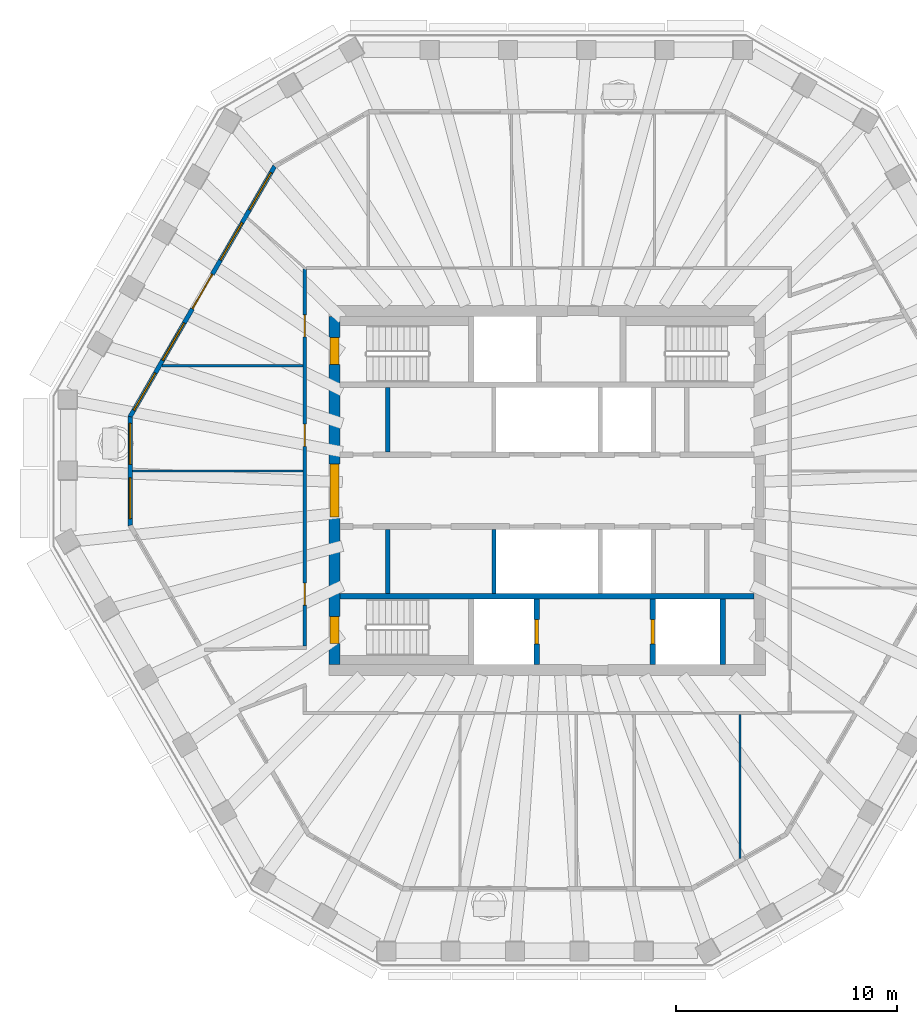
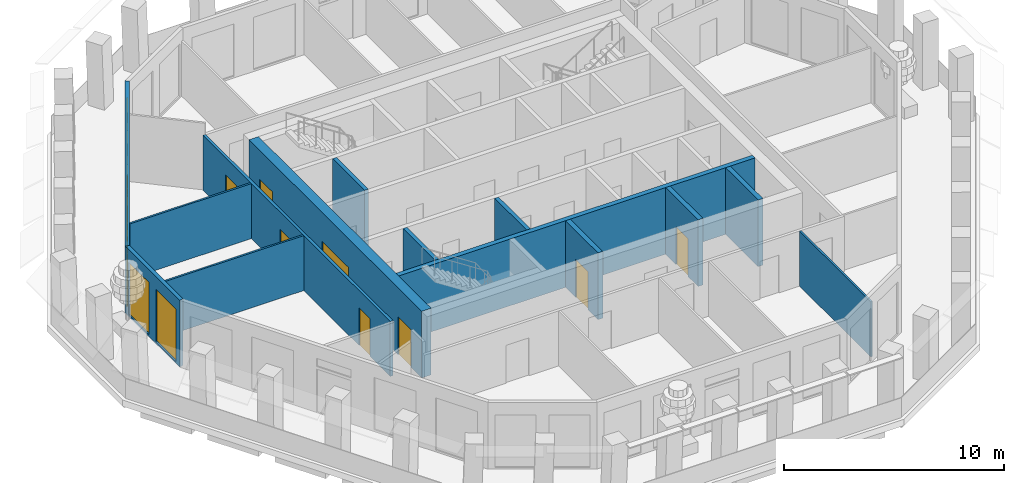
# One storey, part 4 of 11: 14 walls, 9 doors, 7 windows, 16 openings.
"""IFC4 building model written with IfcOpenShell, lengths in metres."""

from ifc_helpers import new_model, si_unit, direction, frame, frame_2d, origin, place, context, subcontext, project, spatial, polyline, rectangle, outline, extrude, material, layer, layer_set, type_object, element, fill, save


model = new_model("IFC4")

# Units and contexts
model_context = context("Model", 3, precision=1e-05, world=origin(), true_north=direction((0.0, 1.0)))
body_context = subcontext(model_context, "Body", "Model", "MODEL_VIEW")
ifc_project = project(units=[si_unit("LENGTHUNIT", "METRE"), si_unit("AREAUNIT", "SQUARE_METRE"), si_unit("VOLUMEUNIT", "CUBIC_METRE"), si_unit("PLANEANGLEUNIT", "RADIAN"), si_unit("MASSUNIT", "GRAM", prefix="KILO")], contexts=[model_context])

# Site, building, storey
site_placement = place(None, origin())
site = spatial("IfcSite", under=ifc_project, at=site_placement, CompositionType="ELEMENT")
building_placement = place(site_placement, origin())
building = spatial("IfcBuilding", under=site, at=building_placement, Name="Frailejon Research Tower", CompositionType="ELEMENT")
storey_placement = place(building_placement, frame((0.0, 0.0, 336.60009765625)))
storey = spatial("IfcBuildingStorey", under=building, at=storey_placement, Name="L75", CompositionType="ELEMENT", Elevation=336.60009765625)

# Wall, openings, doors
ifc_material_1 = material(Name="Concrete C50/60", Category="concrete")
ifc_layer_1 = layer(ifc_material_1, 0.5)
ifc_layer_set_1 = layer_set([ifc_layer_1], Name="Core shear wall 500 C50/60")
wall_type_1 = type_object("IfcWallType", Name="Core shear wall 500 C50/60", PredefinedType="SHEAR", material=ifc_layer_set_1)
wall_1_placement = place(storey_placement, frame((-9.60009765625, -7.85009765625, 0.0), z_axis=(0.0, 0.0, 1.0), x_axis=(0.0, 1.0, 0.0)))
wall_1 = element("IfcWall", 1, at=wall_1_placement, inside=storey, type_object=wall_type_1, Name="Core shear wall", PredefinedType="SHEAR", context=body_context, shape_type="SweptSolid", body=[
    extrude(rectangle(XDim=15.7001953125, YDim=0.5, at=frame_2d((7.85009765625, 0.0))), origin(), (0.0, 0.0, 1.0), 3.699951171875),
])
opening_1_placement = place(wall_1_placement, frame((6.64990234375, 0.0, 0.0)))
opening_1 = element("IfcOpeningElement", 2, at=opening_1_placement, cuts=wall_1, Name="Opening D2", PredefinedType="OPENING", context=body_context, shape_type="SweptSolid", body=[
    extrude(rectangle(XDim=2.39990234375, YDim=2.10009765625, at=frame_2d((1.199951171875, 1.050048828125))), frame((0.0, 0.260009765625, 0.0), z_axis=(0.0, -1.0, 0.0), x_axis=(1.0, 0.0, 0.0)), (0.0, 0.0, 1.0), 0.52001953125),
])
opening_2_placement = place(wall_1_placement, frame((13.550048828125, 0.0, 0.0)))
opening_2 = element("IfcOpeningElement", 3, at=opening_2_placement, cuts=wall_1, Name="Opening D1", PredefinedType="OPENING", context=body_context, shape_type="SweptSolid", body=[
    extrude(rectangle(XDim=1.199951171875, YDim=2.10009765625, at=frame_2d((0.60009765625, 1.050048828125))), frame((0.0, 0.260009765625, 0.0), z_axis=(0.0, -1.0, 0.0), x_axis=(1.0, 0.0, 0.0)), (0.0, 0.0, 1.0), 0.52001953125),
])
opening_3_placement = place(wall_1_placement, frame((0.949951171875, 0.0, 0.0)))
opening_3 = element("IfcOpeningElement", 4, at=opening_3_placement, cuts=wall_1, Name="Opening D1", PredefinedType="OPENING", context=body_context, shape_type="SweptSolid", body=[
    extrude(rectangle(XDim=1.199951171875, YDim=2.10009765625, at=frame_2d((0.60009765625, 1.050048828125))), frame((0.0, 0.260009765625, 0.0), z_axis=(0.0, -1.0, 0.0), x_axis=(1.0, 0.0, 0.0)), (0.0, 0.0, 1.0), 0.52001953125),
])
ifc_material_2 = material(Name="Steel", Category="steel")
door_type_1 = type_object("IfcDoorType", Name="Lobby double door", OperationType="DOUBLE_DOOR_SINGLE_SWING", PredefinedType="DOOR", material=ifc_material_2)
door_1_placement = place(opening_1_placement, origin())
door_1 = element("IfcDoor", 5, at=door_1_placement, inside=storey, type_object=door_type_1, Name="Lobby door", OperationType="DOUBLE_DOOR_SINGLE_SWING", OverallHeight=2.10009765625, OverallWidth=2.39990234375, PredefinedType="DOOR", context=body_context, shape_type="SweptSolid", body=[
    extrude(rectangle(XDim=2.39990234375, YDim=2.10009765625, at=frame_2d((1.199951171875, 1.050048828125))), frame((0.0, 0.199951171875, 0.0), z_axis=(0.0, -1.0, 0.0), x_axis=(1.0, 0.0, 0.0)), (0.0, 0.0, 1.0), 0.39990234375),
])
fill(opening_1, door_1)
ifc_material_3 = material(Name="Steel", Category="steel")
door_type_2 = type_object("IfcDoorType", Name="Stair door", OperationType="SINGLE_SWING_LEFT", PredefinedType="DOOR", material=ifc_material_3)
door_2_placement = place(opening_2_placement, origin())
door_2 = element("IfcDoor", 6, at=door_2_placement, inside=storey, type_object=door_type_2, Name="Stair door ST1", OperationType="SINGLE_SWING_RIGHT", OverallHeight=2.10009765625, OverallWidth=1.199951171875, PredefinedType="DOOR", context=body_context, shape_type="SweptSolid", body=[
    extrude(rectangle(XDim=1.199951171875, YDim=2.10009765625, at=frame_2d((0.60009765625, 1.050048828125))), frame((0.0, 0.199951171875, 0.0), z_axis=(0.0, -1.0, 0.0), x_axis=(1.0, 0.0, 0.0)), (0.0, 0.0, 1.0), 0.39990234375),
])
fill(opening_2, door_2)
door_3_placement = place(opening_3_placement, origin())
door_3 = element("IfcDoor", 7, at=door_3_placement, inside=storey, type_object=door_type_2, Name="Stair door ST2", OperationType="SINGLE_SWING_LEFT", OverallHeight=2.10009765625, OverallWidth=1.199951171875, PredefinedType="DOOR", context=body_context, shape_type="SweptSolid", body=[
    extrude(rectangle(XDim=1.199951171875, YDim=2.10009765625, at=frame_2d((0.60009765625, 1.050048828125))), frame((0.0, 0.199951171875, 0.0), z_axis=(0.0, -1.0, 0.0), x_axis=(1.0, 0.0, 0.0)), (0.0, 0.0, 1.0), 0.39990234375),
])
fill(opening_3, door_3)

ifc_material_4 = material(Name="Gypsum board and masonry partition", Category="masonry")
ifc_layer_2 = layer(ifc_material_4, 0.14990234375)
ifc_layer_set_2 = layer_set([ifc_layer_2], Name="Corridor wall EI 60, gypsum on steel studs 150")
wall_type_2 = type_object("IfcWallType", Name="Corridor wall EI 60, gypsum on steel studs 150", PredefinedType="PARTITIONING", material=ifc_layer_set_2)
wall_2_placement = place(storey_placement, frame((-10.949951171875, -7.02490234375, 0.0), z_axis=(0.0, 0.0, 1.0), x_axis=(0.0, 1.0, 0.0)))
wall_2 = element("IfcWall", 8, at=wall_2_placement, inside=storey, type_object=wall_type_2, Name="T:IW:L75:007", PredefinedType="PARTITIONING", context=body_context, shape_type="SweptSolid", body=[
    extrude(rectangle(XDim=17.02490234375, YDim=0.14990234375, at=frame_2d((8.512451171875, 0.0))), origin(), (0.0, 0.0, 1.0), 3.0498046875),
])
opening_4_placement = place(wall_2_placement, frame((13.959228515625, 0.0, 0.0)))
opening_4 = element("IfcOpeningElement", 9, at=opening_4_placement, cuts=wall_2, Name="Opening D2404", PredefinedType="OPENING", context=body_context, shape_type="SweptSolid", body=[
    extrude(rectangle(XDim=1.0, YDim=2.10009765625, at=frame_2d((0.5, 1.050048828125))), frame((0.0, 0.0849609375, 0.0), z_axis=(0.0, -1.0, 0.0), x_axis=(1.0, 0.0, 0.0)), (0.0, 0.0, 1.0), 0.169921875),
])
opening_5_placement = place(wall_2_placement, frame((9.018310546875, 0.0, 0.0)))
opening_5 = element("IfcOpeningElement", 10, at=opening_5_placement, cuts=wall_2, Name="Opening D2405", PredefinedType="OPENING", context=body_context, shape_type="SweptSolid", body=[
    extrude(rectangle(XDim=1.0, YDim=2.10009765625, at=frame_2d((0.5, 1.050048828125))), frame((0.0, 0.0849609375, 0.0), z_axis=(0.0, -1.0, 0.0), x_axis=(1.0, 0.0, 0.0)), (0.0, 0.0, 1.0), 0.169921875),
])
opening_6_placement = place(wall_2_placement, frame((1.844970703125, 0.0, 0.0)))
opening_6 = element("IfcOpeningElement", 11, at=opening_6_placement, cuts=wall_2, Name="Opening D2406", PredefinedType="OPENING", context=body_context, shape_type="SweptSolid", body=[
    extrude(rectangle(XDim=1.0, YDim=2.10009765625, at=frame_2d((0.5, 1.050048828125))), frame((0.0, 0.0849609375, 0.0), z_axis=(0.0, -1.0, 0.0), x_axis=(1.0, 0.0, 0.0)), (0.0, 0.0, 1.0), 0.169921875),
])
ifc_material_5 = material(Name="Timber door leaf", Category="wood")
door_type_3 = type_object("IfcDoorType", Name="Door single leaf, timber, steel frame 1000", OperationType="NOTDEFINED", PredefinedType="DOOR", material=ifc_material_5)
door_4_placement = place(opening_4_placement, origin())
door_4 = element("IfcDoor", 12, at=door_4_placement, inside=storey, type_object=door_type_3, Name="D2404", OperationType="SINGLE_SWING_LEFT", OverallHeight=2.10009765625, OverallWidth=1.0, PredefinedType="DOOR", context=body_context, shape_type="SweptSolid", body=[
    extrude(rectangle(XDim=1.0, YDim=2.10009765625, at=frame_2d((0.5, 1.050048828125))), frame((0.0, 0.02490234375, 0.0), z_axis=(0.0, -1.0, 0.0), x_axis=(1.0, 0.0, 0.0)), (0.0, 0.0, 1.0), 0.050048828125),
])
fill(opening_4, door_4)
door_5_placement = place(opening_5_placement, origin())
door_5 = element("IfcDoor", 13, at=door_5_placement, inside=storey, type_object=door_type_3, Name="D2405", OperationType="SINGLE_SWING_LEFT", OverallHeight=2.10009765625, OverallWidth=1.0, PredefinedType="DOOR", context=body_context, shape_type="SweptSolid", body=[
    extrude(rectangle(XDim=1.0, YDim=2.10009765625, at=frame_2d((0.5, 1.050048828125))), frame((0.0, 0.02490234375, 0.0), z_axis=(0.0, -1.0, 0.0), x_axis=(1.0, 0.0, 0.0)), (0.0, 0.0, 1.0), 0.050048828125),
])
fill(opening_5, door_5)
door_6_placement = place(opening_6_placement, origin())
door_6 = element("IfcDoor", 14, at=door_6_placement, inside=storey, type_object=door_type_3, Name="D2406", OperationType="SINGLE_SWING_LEFT", OverallHeight=2.10009765625, OverallWidth=1.0, PredefinedType="DOOR", context=body_context, shape_type="SweptSolid", body=[
    extrude(rectangle(XDim=1.0, YDim=2.10009765625, at=frame_2d((0.5, 1.050048828125))), frame((0.0, 0.02490234375, 0.0), z_axis=(0.0, -1.0, 0.0), x_axis=(1.0, 0.0, 0.0)), (0.0, 0.0, 1.0), 0.050048828125),
])
fill(opening_6, door_6)

# Walls
ifc_material_6 = material(Name="Gypsum board and masonry partition", Category="masonry")
ifc_layer_3 = layer(ifc_material_6, 0.10009765625)
ifc_layer_set_3 = layer_set([ifc_layer_3], Name="Partition, gypsum on steel studs 100")
wall_type_3 = type_object("IfcWallType", Name="Partition, gypsum on steel studs 100", PredefinedType="PARTITIONING", material=ifc_layer_set_3)
wall_3_placement = place(storey_placement, frame((-18.735595703125, 0.8798828125, 0.0), z_axis=(0.0, 0.0, 1.0), x_axis=(1.0, 0.0, 0.0)))
element("IfcWall", 15, at=wall_3_placement, inside=storey, type_object=wall_type_3, Name="T:IW:L75:011", PredefinedType="PARTITIONING", context=body_context, shape_type="SweptSolid", body=[
    extrude(rectangle(XDim=7.710693359375, YDim=0.10009765625, at=frame_2d((3.85546875, 0.0))), origin(), (0.0, 0.0, 1.0), 3.0498046875),
])
wall_4_placement = place(storey_placement, frame((-17.3935546875, 5.633544921875, 0.0), z_axis=(0.0, 0.0, 1.0), x_axis=(1.0, 0.0, 0.0)))
element("IfcWall", 16, at=wall_4_placement, inside=storey, type_object=wall_type_3, Name="T:IW:L75:019", PredefinedType="PARTITIONING", context=body_context, shape_type="SweptSolid", body=[
    extrude(rectangle(XDim=6.36865234375, YDim=0.10009765625, at=frame_2d((3.184326171875, 0.0))), origin(), (0.0, 0.0, 1.0), 3.0498046875),
])
wall_5_placement = place(storey_placement, frame((8.705810546875, -16.607666015625, 0.0), z_axis=(0.0, 0.0, 1.0), x_axis=(0.0, 1.0, 0.0)))
element("IfcWall", 17, at=wall_5_placement, inside=storey, type_object=wall_type_3, Name="T:IW:L75:023", PredefinedType="PARTITIONING", context=body_context, shape_type="SweptSolid", body=[
    extrude(rectangle(XDim=6.482666015625, YDim=0.10009765625, at=frame_2d((3.2412109375, 0.0))), origin(), (0.0, 0.0, 1.0), 3.0498046875),
])
ifc_material_7 = material(Name="Concrete C50/60", Category="concrete")
ifc_layer_4 = layer(ifc_material_7, 0.199951171875)
ifc_layer_set_4 = layer_set([ifc_layer_4], Name="Shaft wall 200 C50/60")
wall_type_4 = type_object("IfcWallType", Name="Shaft wall 200 C50/60", PredefinedType="SOLIDWALL", material=ifc_layer_set_4)
for number, where, z_axis, x_axis, name in (
    (18, (-7.199951171875, 1.75, 0.0), (0.0, 0.0, 1.0), (0.0, 1.0, 0.0), "Shaft wall"),
    (19, (-7.199951171875, -4.64990234375, 0.0), (0.0, 0.0, 1.0), (0.0, 1.0, 0.0), "Shaft wall"),
    (20, (-2.39990234375, -4.64990234375, 0.0), (0.0, 0.0, 1.0), (0.0, 1.0, 0.0), "Shaft wall"),
):
    element("IfcWall", number, at=place(storey_placement, frame(where, z_axis=z_axis, x_axis=x_axis)), inside=storey, type_object=wall_type_4, Name=name, PredefinedType="SOLIDWALL", context=body_context, shape_type="SweptSolid", body=[
        extrude(rectangle(XDim=2.89990234375, YDim=0.199951171875, at=frame_2d((1.449951171875, 0.0))), origin(), (0.0, 0.0, 1.0), 3.699951171875),
    ])
ifc_material_8 = material(Name="Concrete C50/60", Category="concrete")
ifc_layer_5 = layer(ifc_material_8, 0.25)
ifc_layer_set_5 = layer_set([ifc_layer_5], Name="Shaft wall 250 C50/60")
wall_type_5 = type_object("IfcWallType", Name="Shaft wall 250 C50/60", PredefinedType="SOLIDWALL", material=ifc_layer_set_5)
wall_6_placement = place(storey_placement, frame((-9.35009765625, -4.77490234375, 0.0), z_axis=(0.0, 0.0, 1.0), x_axis=(1.0, 0.0, 0.0)))
element("IfcWall", 21, at=wall_6_placement, inside=storey, type_object=wall_type_5, Name="Shaft wall", PredefinedType="SOLIDWALL", context=body_context, shape_type="SweptSolid", body=[
    extrude(rectangle(XDim=18.7001953125, YDim=0.25, at=frame_2d((9.35009765625, 0.0))), origin(), (0.0, 0.0, 1.0), 3.699951171875),
])

# Wall, opening, door
wall_7_placement = place(storey_placement, frame((-0.47509765625, -7.85009765625, 0.0), z_axis=(0.0, 0.0, 1.0), x_axis=(0.0, 1.0, 0.0)))
wall_7 = element("IfcWall", 22, at=wall_7_placement, inside=storey, type_object=wall_type_5, Name="Shaft wall", PredefinedType="SOLIDWALL", context=body_context, shape_type="SweptSolid", body=[
    extrude(rectangle(XDim=2.9501953125, YDim=0.25, at=frame_2d((1.47509765625, 0.0))), origin(), (0.0, 0.0, 1.0), 3.699951171875),
])
opening_7_placement = place(wall_7_placement, frame((0.925048828125, 0.0, 0.0)))
opening_7 = element("IfcOpeningElement", 23, at=opening_7_placement, cuts=wall_7, Name="Opening LD", PredefinedType="OPENING", context=body_context, shape_type="SweptSolid", body=[
    extrude(rectangle(XDim=1.10009765625, YDim=2.10009765625, at=frame_2d((0.550048828125, 1.050048828125))), frame((0.0, 0.135009765625, 0.0), z_axis=(0.0, -1.0, 0.0), x_axis=(1.0, 0.0, 0.0)), (0.0, 0.0, 1.0), 0.27001953125),
])
ifc_material_9 = material(Name="Steel", Category="steel")
door_type_4 = type_object("IfcDoorType", Name="Lift landing door", OperationType="DOUBLE_DOOR_SLIDING", PredefinedType="DOOR", material=ifc_material_9)
door_7_placement = place(opening_7_placement, origin())
door_7 = element("IfcDoor", 24, at=door_7_placement, inside=storey, type_object=door_type_4, Name="Lift landing door", OperationType="DOUBLE_DOOR_SLIDING", OverallHeight=2.10009765625, OverallWidth=1.10009765625, PredefinedType="DOOR", context=body_context, shape_type="SweptSolid", body=[
    extrude(rectangle(XDim=1.10009765625, YDim=2.10009765625, at=frame_2d((0.550048828125, 1.050048828125))), frame((0.0, 0.074951171875, 0.0), z_axis=(0.0, -1.0, 0.0), x_axis=(1.0, 0.0, 0.0)), (0.0, 0.0, 1.0), 0.14990234375),
])
fill(opening_7, door_7)

wall_8_placement = place(storey_placement, frame((4.77490234375, -7.85009765625, 0.0), z_axis=(0.0, 0.0, 1.0), x_axis=(0.0, 1.0, 0.0)))
wall_8 = element("IfcWall", 25, at=wall_8_placement, inside=storey, type_object=wall_type_5, Name="Shaft wall", PredefinedType="SOLIDWALL", context=body_context, shape_type="SweptSolid", body=[
    extrude(rectangle(XDim=2.9501953125, YDim=0.25, at=frame_2d((1.47509765625, 0.0))), origin(), (0.0, 0.0, 1.0), 3.699951171875),
])
opening_8_placement = place(wall_8_placement, frame((0.925048828125, 0.0, 0.0)))
opening_8 = element("IfcOpeningElement", 26, at=opening_8_placement, cuts=wall_8, Name="Opening LD", PredefinedType="OPENING", context=body_context, shape_type="SweptSolid", body=[
    extrude(rectangle(XDim=1.10009765625, YDim=2.10009765625, at=frame_2d((0.550048828125, 1.050048828125))), frame((0.0, 0.135009765625, 0.0), z_axis=(0.0, -1.0, 0.0), x_axis=(1.0, 0.0, 0.0)), (0.0, 0.0, 1.0), 0.27001953125),
])
door_8_placement = place(opening_8_placement, origin())
door_8 = element("IfcDoor", 27, at=door_8_placement, inside=storey, type_object=door_type_4, Name="Lift landing door", OperationType="DOUBLE_DOOR_SLIDING", OverallHeight=2.10009765625, OverallWidth=1.10009765625, PredefinedType="DOOR", context=body_context, shape_type="SweptSolid", body=[
    extrude(rectangle(XDim=1.10009765625, YDim=2.10009765625, at=frame_2d((0.550048828125, 1.050048828125))), frame((0.0, 0.074951171875, 0.0), z_axis=(0.0, -1.0, 0.0), x_axis=(1.0, 0.0, 0.0)), (0.0, 0.0, 1.0), 0.14990234375),
])
fill(opening_8, door_8)

# Wall
wall_9_placement = place(storey_placement, frame((7.925048828125, -7.85009765625, 0.0), z_axis=(0.0, 0.0, 1.0), x_axis=(0.0, 1.0, 0.0)))
element("IfcWall", 28, at=wall_9_placement, inside=storey, type_object=wall_type_5, Name="Shaft wall", PredefinedType="SOLIDWALL", context=body_context, shape_type="SweptSolid", body=[
    extrude(rectangle(XDim=2.9501953125, YDim=0.25, at=frame_2d((1.47509765625, 0.0))), origin(), (0.0, 0.0, 1.0), 3.699951171875),
])

# Wall, openings, door, windows
ifc_material_10 = material(Name="Concrete C40/50 precast window wall panel", Category="concrete")
ifc_layer_6 = layer(ifc_material_10, 0.199951171875)
ifc_layer_set_6 = layer_set([ifc_layer_6], Name="Window wall 200")
wall_type_6 = type_object("IfcWallType", Name="Window wall 200", PredefinedType="SOLIDWALL", material=ifc_layer_set_6)
wall_10_placement = place(storey_placement, frame((-12.306640625, 14.644287109375, 0.0), z_axis=(0.0, 0.0, 1.0), x_axis=(-0.499987877897, -0.866032402371, 0.0)))
wall_10 = element("IfcWall", 29, at=wall_10_placement, inside=storey, type_object=wall_type_6, Name="Exterior wall L75", PredefinedType="SOLIDWALL", context=body_context, shape_type="SweptSolid", body=[
    extrude(outline(polyline([(-0.02685546875, -0.10009765625), (0.981689453125, -0.10009765625), (1.990234375, -0.10009765625), (2.998779296875, -0.10009765625), (4.007568359375, -0.10009765625), (5.01611328125, -0.10009765625), (6.024658203125, -0.10009765625), (7.033203125, -0.10009765625), (8.041748046875, -0.10009765625), (9.05029296875, -0.10009765625), (10.05908203125, -0.10009765625), (11.067626953125, -0.10009765625), (12.076171875, -0.10009765625), (13.084716796875, -0.10009765625), (13.031005859375, 0.10009765625), (12.03076171875, 0.10009765625), (11.0302734375, 0.10009765625), (10.030029296875, 0.10009765625), (9.02978515625, 0.10009765625), (8.029296875, 0.10009765625), (7.029052734375, 0.10009765625), (6.02880859375, 0.10009765625), (5.028564453125, 0.10009765625), (4.028076171875, 0.10009765625), (3.02783203125, 0.10009765625), (2.027587890625, 0.10009765625), (1.027099609375, 0.10009765625), (0.02685546875, 0.10009765625), (-0.02685546875, -0.10009765625)])), origin(), (0.0, 0.0, 1.0), 3.699951171875),
])
opening_9_placement = place(wall_10_placement, frame((0.330810546875, 0.0, 0.10009765625)))
opening_9 = element("IfcOpeningElement", 30, at=opening_9_placement, cuts=wall_10, Name="Opening W27", PredefinedType="OPENING", context=body_context, shape_type="SweptSolid", body=[
    extrude(rectangle(XDim=1.949951171875, YDim=2.89990234375, at=frame_2d((0.97509765625, 1.449951171875))), frame((0.0, 0.10986328125, 0.0), z_axis=(0.0, -1.0, 0.0), x_axis=(1.0, 0.0, 0.0)), (0.0, 0.0, 1.0), 0.219970703125),
])
opening_10_placement = place(wall_10_placement, frame((2.9423828125, 0.0, 0.10009765625)))
opening_10 = element("IfcOpeningElement", 31, at=opening_10_placement, cuts=wall_10, Name="Opening W27", PredefinedType="OPENING", context=body_context, shape_type="SweptSolid", body=[
    extrude(rectangle(XDim=1.949951171875, YDim=2.89990234375, at=frame_2d((0.97509765625, 1.449951171875))), frame((0.0, 0.10986328125, 0.0), z_axis=(0.0, -1.0, 0.0), x_axis=(1.0, 0.0, 0.0)), (0.0, 0.0, 1.0), 0.219970703125),
])
opening_11_placement = place(wall_10_placement, frame((5.62890625, 0.0, 0.0)))
opening_11 = element("IfcOpeningElement", 32, at=opening_11_placement, cuts=wall_10, Name="Opening LG75-3", PredefinedType="OPENING", context=body_context, shape_type="SweptSolid", body=[
    extrude(rectangle(XDim=1.800048828125, YDim=2.39990234375, at=frame_2d((0.89990234375, 1.199951171875))), frame((0.0, 0.10986328125, 0.0), z_axis=(0.0, -1.0, 0.0), x_axis=(1.0, 0.0, 0.0)), (0.0, 0.0, 1.0), 0.219970703125),
])
opening_12_placement = place(wall_10_placement, frame((5.62890625, 0.0, 2.550048828125)))
opening_12 = element("IfcOpeningElement", 33, at=opening_12_placement, cuts=wall_10, Name="Opening W1", PredefinedType="OPENING", context=body_context, shape_type="SweptSolid", body=[
    extrude(rectangle(XDim=1.800048828125, YDim=0.449951171875, at=frame_2d((0.89990234375, 0.22509765625))), frame((0.0, 0.10986328125, 0.0), z_axis=(0.0, -1.0, 0.0), x_axis=(1.0, 0.0, 0.0)), (0.0, 0.0, 1.0), 0.219970703125),
])
opening_13_placement = place(wall_10_placement, frame((8.16552734375, 0.0, 0.10009765625)))
opening_13 = element("IfcOpeningElement", 34, at=opening_13_placement, cuts=wall_10, Name="Opening W27", PredefinedType="OPENING", context=body_context, shape_type="SweptSolid", body=[
    extrude(rectangle(XDim=1.949951171875, YDim=2.89990234375, at=frame_2d((0.97509765625, 1.449951171875))), frame((0.0, 0.10986328125, 0.0), z_axis=(0.0, -1.0, 0.0), x_axis=(1.0, 0.0, 0.0)), (0.0, 0.0, 1.0), 0.219970703125),
])
opening_14_placement = place(wall_10_placement, frame((10.777099609375, 0.0, 0.10009765625)))
opening_14 = element("IfcOpeningElement", 35, at=opening_14_placement, cuts=wall_10, Name="Opening W27", PredefinedType="OPENING", context=body_context, shape_type="SweptSolid", body=[
    extrude(rectangle(XDim=1.949951171875, YDim=2.89990234375, at=frame_2d((0.97509765625, 1.449951171875))), frame((0.0, 0.10986328125, 0.0), z_axis=(0.0, -1.0, 0.0), x_axis=(1.0, 0.0, 0.0)), (0.0, 0.0, 1.0), 0.219970703125),
])
ifc_material_11 = material(Name="Aluminium framed glazed door leaf", Category="aluminium")
door_type_5 = type_object("IfcDoorType", Name="Loggia door 1800x2400", OperationType="DOUBLE_DOOR_SINGLE_SWING", PredefinedType="DOOR", material=ifc_material_11)
door_9_placement = place(opening_11_placement, origin())
door_9 = element("IfcDoor", 36, at=door_9_placement, inside=storey, type_object=door_type_5, Name="Door LG75-3", OperationType="DOUBLE_DOOR_SINGLE_SWING", OverallHeight=2.39990234375, OverallWidth=1.800048828125, PredefinedType="DOOR", context=body_context, shape_type="SweptSolid", body=[
    extrude(rectangle(XDim=1.800048828125, YDim=2.39990234375, at=frame_2d((0.89990234375, 1.199951171875))), frame((0.0, 0.02490234375, 0.0), z_axis=(0.0, -1.0, 0.0), x_axis=(1.0, 0.0, 0.0)), (0.0, 0.0, 1.0), 0.050048828125),
])
fill(opening_11, door_9)
ifc_material_12 = material(Name="Aluminium framed double glazing", Category="aluminium")
window_type_1 = type_object("IfcWindowType", Name="Window 1800x450", PartitioningType="SINGLE_PANEL", PredefinedType="WINDOW", material=ifc_material_12)
window_1_placement = place(opening_12_placement, origin())
window_1 = element("IfcWindow", 37, at=window_1_placement, inside=storey, type_object=window_type_1, Name="Window L75", OverallHeight=0.449951171875, OverallWidth=1.800048828125, PartitioningType="SINGLE_PANEL", PredefinedType="WINDOW", context=body_context, shape_type="SweptSolid", body=[
    extrude(rectangle(XDim=1.800048828125, YDim=0.449951171875, at=frame_2d((0.89990234375, 0.22509765625))), frame((0.0, 0.030029296875, 0.0), z_axis=(0.0, -1.0, 0.0), x_axis=(1.0, 0.0, 0.0)), (0.0, 0.0, 1.0), 0.06005859375),
])
fill(opening_12, window_1)
ifc_material_13 = material(Name="Aluminium framed double glazing", Category="aluminium")
window_type_2 = type_object("IfcWindowType", Name="Window 1950x2900", PartitioningType="SINGLE_PANEL", PredefinedType="WINDOW", material=ifc_material_13)
window_2_placement = place(opening_9_placement, origin())
window_2 = element("IfcWindow", 38, at=window_2_placement, inside=storey, type_object=window_type_2, Name="Window L75", OverallHeight=2.89990234375, OverallWidth=1.949951171875, PartitioningType="SINGLE_PANEL", PredefinedType="WINDOW", context=body_context, shape_type="SweptSolid", body=[
    extrude(rectangle(XDim=1.949951171875, YDim=2.89990234375, at=frame_2d((0.97509765625, 1.449951171875))), frame((0.0, 0.030029296875, 0.0), z_axis=(0.0, -1.0, 0.0), x_axis=(1.0, 0.0, 0.0)), (0.0, 0.0, 1.0), 0.06005859375),
])
fill(opening_9, window_2)
window_3_placement = place(opening_10_placement, origin())
window_3 = element("IfcWindow", 39, at=window_3_placement, inside=storey, type_object=window_type_2, Name="Window L75", OverallHeight=2.89990234375, OverallWidth=1.949951171875, PartitioningType="SINGLE_PANEL", PredefinedType="WINDOW", context=body_context, shape_type="SweptSolid", body=[
    extrude(rectangle(XDim=1.949951171875, YDim=2.89990234375, at=frame_2d((0.97509765625, 1.449951171875))), frame((0.0, 0.030029296875, 0.0), z_axis=(0.0, -1.0, 0.0), x_axis=(1.0, 0.0, 0.0)), (0.0, 0.0, 1.0), 0.06005859375),
])
fill(opening_10, window_3)
window_4_placement = place(opening_13_placement, origin())
window_4 = element("IfcWindow", 40, at=window_4_placement, inside=storey, type_object=window_type_2, Name="Window L75", OverallHeight=2.89990234375, OverallWidth=1.949951171875, PartitioningType="SINGLE_PANEL", PredefinedType="WINDOW", context=body_context, shape_type="SweptSolid", body=[
    extrude(rectangle(XDim=1.949951171875, YDim=2.89990234375, at=frame_2d((0.97509765625, 1.449951171875))), frame((0.0, 0.030029296875, 0.0), z_axis=(0.0, -1.0, 0.0), x_axis=(1.0, 0.0, 0.0)), (0.0, 0.0, 1.0), 0.06005859375),
])
fill(opening_13, window_4)
window_5_placement = place(opening_14_placement, origin())
window_5 = element("IfcWindow", 41, at=window_5_placement, inside=storey, type_object=window_type_2, Name="Window L75", OverallHeight=2.89990234375, OverallWidth=1.949951171875, PartitioningType="SINGLE_PANEL", PredefinedType="WINDOW", context=body_context, shape_type="SweptSolid", body=[
    extrude(rectangle(XDim=1.949951171875, YDim=2.89990234375, at=frame_2d((0.97509765625, 1.449951171875))), frame((0.0, 0.030029296875, 0.0), z_axis=(0.0, -1.0, 0.0), x_axis=(1.0, 0.0, 0.0)), (0.0, 0.0, 1.0), 0.06005859375),
])
fill(opening_14, window_5)

# Wall, openings, windows
wall_11_placement = place(storey_placement, frame((-18.83544921875, 3.335693359375, 0.0), z_axis=(0.0, 0.0, 1.0), x_axis=(0.0, -1.0, 0.0)))
wall_11 = element("IfcWall", 42, at=wall_11_placement, inside=storey, type_object=wall_type_6, Name="Exterior wall L75", PredefinedType="SOLIDWALL", context=body_context, shape_type="SweptSolid", body=[
    extrude(outline(polyline([(-0.02685546875, -0.10009765625), (1.21435546875, -0.10009765625), (2.455810546875, -0.10009765625), (3.697265625, -0.10009765625), (4.9384765625, -0.10009765625), (4.884765625, 0.10009765625), (3.67041015625, 0.10009765625), (2.455810546875, 0.10009765625), (1.2412109375, 0.10009765625), (0.02685546875, 0.10009765625), (-0.02685546875, -0.10009765625)])), origin(), (0.0, 0.0, 1.0), 3.699951171875),
])
opening_15_placement = place(wall_11_placement, frame((0.302978515625, 0.0, 0.10009765625)))
opening_15 = element("IfcOpeningElement", 43, at=opening_15_placement, cuts=wall_11, Name="Opening W26", PredefinedType="OPENING", context=body_context, shape_type="SweptSolid", body=[
    extrude(rectangle(XDim=1.85009765625, YDim=2.89990234375, at=frame_2d((0.925048828125, 1.449951171875))), frame((0.0, 0.10986328125, 0.0), z_axis=(0.0, -1.0, 0.0), x_axis=(1.0, 0.0, 0.0)), (0.0, 0.0, 1.0), 0.219970703125),
])
opening_16_placement = place(wall_11_placement, frame((2.7587890625, 0.0, 0.10009765625)))
opening_16 = element("IfcOpeningElement", 44, at=opening_16_placement, cuts=wall_11, Name="Opening W26", PredefinedType="OPENING", context=body_context, shape_type="SweptSolid", body=[
    extrude(rectangle(XDim=1.85009765625, YDim=2.89990234375, at=frame_2d((0.925048828125, 1.449951171875))), frame((0.0, 0.10986328125, 0.0), z_axis=(0.0, -1.0, 0.0), x_axis=(1.0, 0.0, 0.0)), (0.0, 0.0, 1.0), 0.219970703125),
])
ifc_material_14 = material(Name="Aluminium framed double glazing", Category="aluminium")
window_type_3 = type_object("IfcWindowType", Name="Window 1850x2900", PartitioningType="SINGLE_PANEL", PredefinedType="WINDOW", material=ifc_material_14)
window_6_placement = place(opening_15_placement, origin())
window_6 = element("IfcWindow", 45, at=window_6_placement, inside=storey, type_object=window_type_3, Name="Window L75", OverallHeight=2.89990234375, OverallWidth=1.85009765625, PartitioningType="SINGLE_PANEL", PredefinedType="WINDOW", context=body_context, shape_type="SweptSolid", body=[
    extrude(rectangle(XDim=1.85009765625, YDim=2.89990234375, at=frame_2d((0.925048828125, 1.449951171875))), frame((0.0, 0.030029296875, 0.0), z_axis=(0.0, -1.0, 0.0), x_axis=(1.0, 0.0, 0.0)), (0.0, 0.0, 1.0), 0.06005859375),
])
fill(opening_15, window_6)
window_7_placement = place(opening_16_placement, origin())
window_7 = element("IfcWindow", 46, at=window_7_placement, inside=storey, type_object=window_type_3, Name="Window L75", OverallHeight=2.89990234375, OverallWidth=1.85009765625, PartitioningType="SINGLE_PANEL", PredefinedType="WINDOW", context=body_context, shape_type="SweptSolid", body=[
    extrude(rectangle(XDim=1.85009765625, YDim=2.89990234375, at=frame_2d((0.925048828125, 1.449951171875))), frame((0.0, 0.030029296875, 0.0), z_axis=(0.0, -1.0, 0.0), x_axis=(1.0, 0.0, 0.0)), (0.0, 0.0, 1.0), 0.06005859375),
])
fill(opening_16, window_7)

save(model, "model.ifc")
